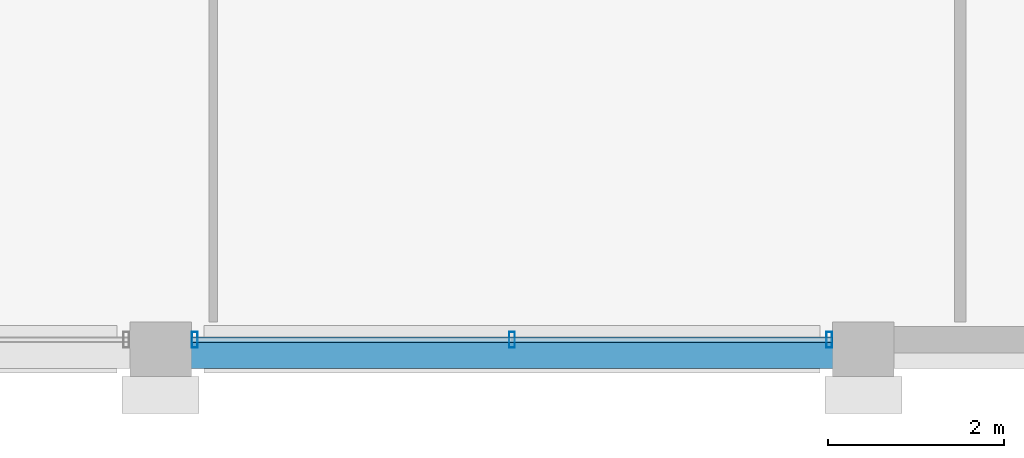
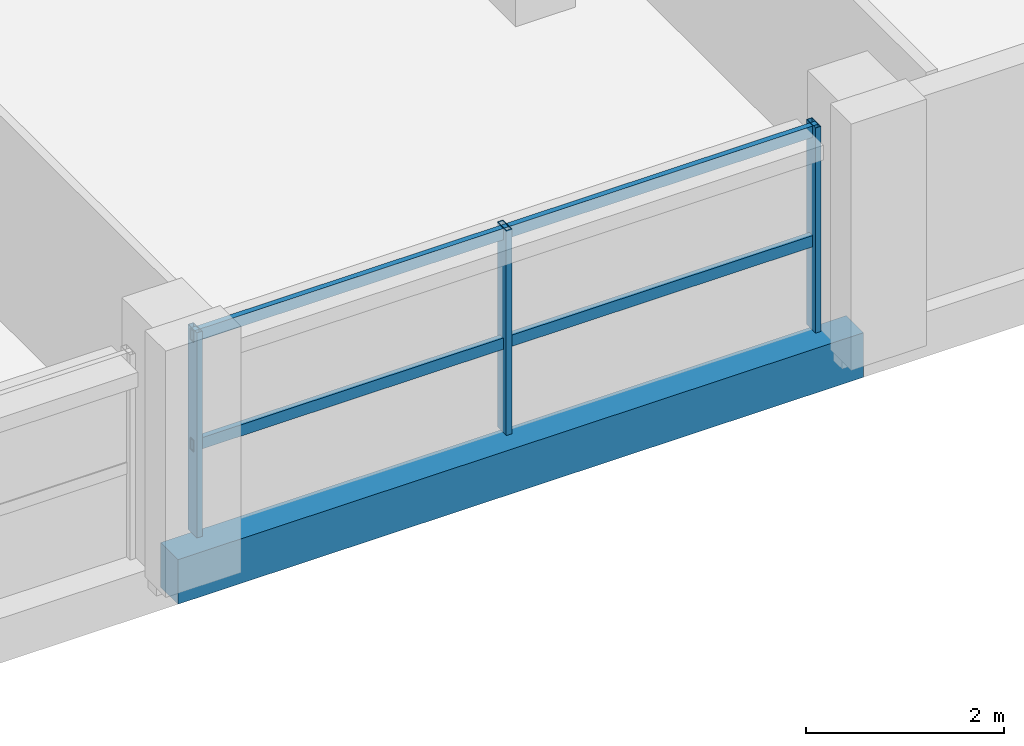
# One storey, part 9 of 24: 5 members, 1 beam, 1 element without a shape of its own.
"""IFC4 building model written with IfcOpenShell, lengths in metres."""

from ifc_helpers import new_model, si_unit, direction, frame, origin, origin_2d, place, context, subcontext, project, spatial, rectangle, hollow_rectangle, extrude, material, material_profile, profile_set, type_object, element, aggregate, save


model = new_model("IFC4")

# Units and contexts
model_context = context("Model", 3, precision=1e-05, world=origin(), true_north=direction((0.0, 1.0)))
body_context = subcontext(model_context, "Body", "Model", "MODEL_VIEW")
ifc_project = project(units=[si_unit("LENGTHUNIT", "METRE"), si_unit("AREAUNIT", "SQUARE_METRE"), si_unit("VOLUMEUNIT", "CUBIC_METRE"), si_unit("PLANEANGLEUNIT", "RADIAN"), si_unit("MASSUNIT", "GRAM", prefix="KILO")], contexts=[model_context])

# Site, building, storey
site_placement = place(None, origin())
site = spatial("IfcSite", under=ifc_project, at=site_placement, CompositionType="ELEMENT")
building_placement = place(site_placement, origin())
building = spatial("IfcBuilding", under=site, at=building_placement, Name="Akrevak Sports Hall", CompositionType="ELEMENT")
storey_placement = place(building_placement, frame((0.0, 0.0, 56.800048828125)))
storey = spatial("IfcBuildingStorey", under=building, at=storey_placement, Name="L14", CompositionType="ELEMENT", Elevation=56.800048828125)

# Curtain wall, members
ifc_material_1 = material(Name="Anodized Bronze Aluminium & Low-E Glass", Category="aluminium")
curtain_wall_type = type_object("IfcCurtainWallType", Name="ARC-CW-TWR-64x30", PredefinedType="NOTDEFINED", material=ifc_material_1)
curtain_wall_placement = place(storey_placement, origin())
curtain_wall = element("IfcCurtainWall", 1, at=curtain_wall_placement, inside=storey, type_object=curtain_wall_type, Name="Curtain Wall CW-L14-S05", PredefinedType="NOTDEFINED")
ifc_material_2 = material(Name="Anodized Bronze Aluminium", Category="aluminium")
ifc_material_profile_1 = material_profile(ifc_material_2, hollow_rectangle(XDim=0.06494140625, YDim=0.179931640625, WallThickness=0.00390625, at=origin_2d()), Name="CWM 65x180", Category="aluminium")
ifc_profile_set_1 = profile_set([ifc_material_profile_1], Name="Anodized Bronze Aluminium")
member_type_1 = type_object("IfcMemberType", Name="ARC-CWM-65x140", PredefinedType="MULLION", material=ifc_profile_set_1)
member_1_placement = place(storey_placement, frame((84.389892578125, 35.550048828125, 0.0), z_axis=(0.0, 0.0, 1.0), x_axis=(1.0, 0.0, 0.0)))
member_1 = element("IfcMember", 2, at=member_1_placement, type_object=member_type_1, Name="Curtain Wall Mullion CW-L14-S05-M1", PredefinedType="MULLION", context=body_context, shape_type="SweptSolid", body=[
    extrude(hollow_rectangle(XDim=0.06494140625, YDim=0.179931640625, WallThickness=0.00390625, at=origin_2d()), origin(), (0.0, 0.0, 1.0), 2.530029296875),
])
member_2_placement = place(storey_placement, frame((88.0, 35.550048828125, 0.0), z_axis=(0.0, 0.0, 1.0), x_axis=(1.0, 0.0, 0.0)))
member_2 = element("IfcMember", 3, at=member_2_placement, type_object=member_type_1, Name="Curtain Wall Mullion CW-L14-S05-M2", PredefinedType="MULLION", context=body_context, shape_type="SweptSolid", body=[
    extrude(hollow_rectangle(XDim=0.06494140625, YDim=0.179931640625, WallThickness=0.00390625, at=origin_2d()), origin(), (0.0, 0.0, 1.0), 2.530029296875),
])
member_3_placement = place(storey_placement, frame((91.610107421875, 35.550048828125, 0.0), z_axis=(0.0, 0.0, 1.0), x_axis=(1.0, 0.0, 0.0)))
member_3 = element("IfcMember", 4, at=member_3_placement, type_object=member_type_1, Name="Curtain Wall Mullion CW-L14-S05-M3", PredefinedType="MULLION", context=body_context, shape_type="SweptSolid", body=[
    extrude(hollow_rectangle(XDim=0.06494140625, YDim=0.179931640625, WallThickness=0.00390625, at=origin_2d()), origin(), (0.0, 0.0, 1.0), 2.530029296875),
])
ifc_material_profile_2 = material_profile(ifc_material_2, hollow_rectangle(XDim=0.06494140625, YDim=0.139892578125, WallThickness=0.00390625, at=origin_2d()), Name="CWT 65x140", Category="aluminium")
ifc_profile_set_2 = profile_set([ifc_material_profile_2], Name="Anodized Bronze Aluminium")
member_type_2 = type_object("IfcMemberType", Name="ARC-CWT-65x110", PredefinedType="USERDEFINED", material=ifc_profile_set_2)
member_4_placement = place(storey_placement, frame((84.35009765625, 35.550048828125, 1.099853515625), z_axis=(1.0, 0.0, 0.0), x_axis=(0.0, 1.0, 0.0)))
member_4 = element("IfcMember", 5, at=member_4_placement, type_object=member_type_2, Name="Curtain Wall Transom CW-L14-S05-T1", ObjectType="TRANSOM", PredefinedType="USERDEFINED", context=body_context, shape_type="SweptSolid", body=[
    extrude(hollow_rectangle(XDim=0.06494140625, YDim=0.139892578125, WallThickness=0.00390625, at=origin_2d()), origin(), (0.0, 0.0, 1.0), 7.2998046875),
])
member_5_placement = place(storey_placement, frame((84.35009765625, 35.550048828125, 2.449951171875), z_axis=(1.0, 0.0, 0.0), x_axis=(0.0, 1.0, 0.0)))
member_5 = element("IfcMember", 6, at=member_5_placement, type_object=member_type_2, Name="Curtain Wall Transom CW-L14-S05-T2", ObjectType="TRANSOM", PredefinedType="USERDEFINED", context=body_context, shape_type="SweptSolid", body=[
    extrude(hollow_rectangle(XDim=0.06494140625, YDim=0.139892578125, WallThickness=0.00390625, at=origin_2d()), origin(), (0.0, 0.0, 1.0), 7.2998046875),
])
aggregate(curtain_wall, [member_1, member_2, member_3, member_4, member_5])

# Beam
ifc_material_3 = material(Name="Concrete C40/50", Category="concrete")
ifc_material_profile_3 = material_profile(ifc_material_3, rectangle(XDim=0.35009765625, YDim=0.550048828125, at=origin_2d()), Name="BM 350x550", Category="concrete")
ifc_profile_set_3 = profile_set([ifc_material_profile_3], Name="Concrete C40/50")
beam_type = type_object("IfcBeamType", Name="STR-BM-RC350x550", PredefinedType="BEAM", material=ifc_profile_set_3)
beam_placement = place(storey_placement, frame((84.0, 35.39990234375, -0.275146484375), z_axis=(1.0, 0.0, 0.0), x_axis=(0.0, 1.0, 0.0)))
element("IfcBeam", 7, at=beam_placement, inside=storey, type_object=beam_type, Name="Girder F/12-13 (L14)", PredefinedType="BEAM", context=body_context, shape_type="SweptSolid", body=[
    extrude(rectangle(XDim=0.35009765625, YDim=0.550048828125, at=origin_2d()), origin(), (0.0, 0.0, 1.0), 8.0),
])

save(model, "model.ifc")
